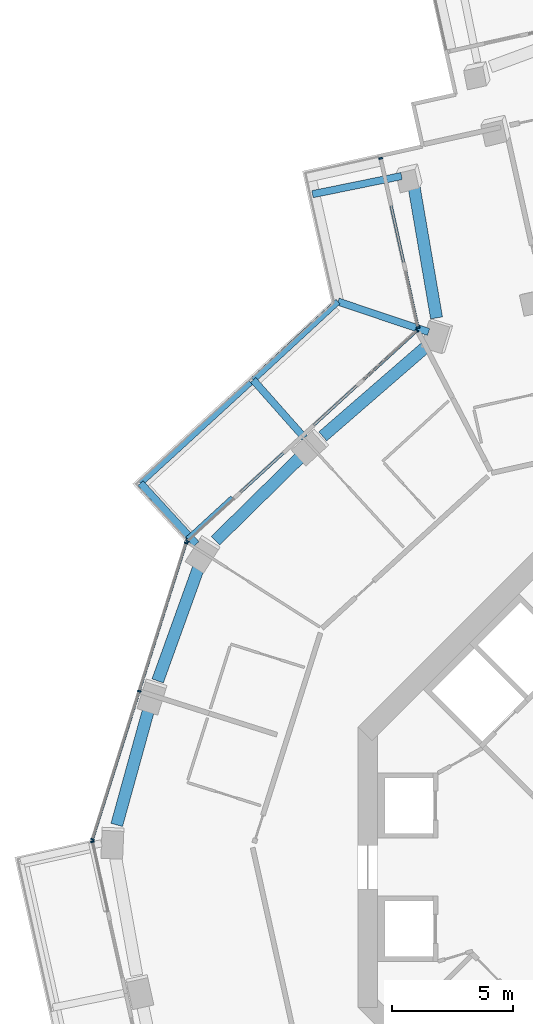
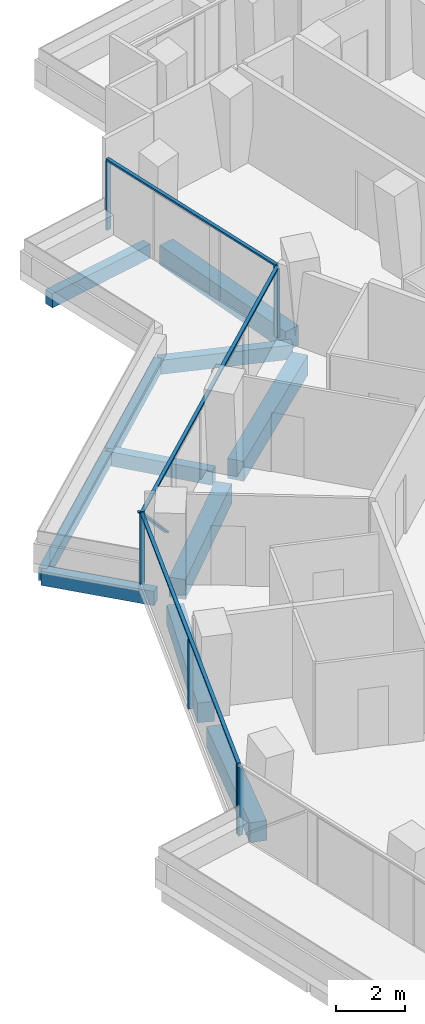
# One storey, part 7 of 24: 12 members, 11 beams, 4 elements without a shape of their own.
"""IFC4 building model written with IfcOpenShell, lengths in metres."""

import ifcopenshell
import ifcopenshell.guid

model = None  # the IFC model being written
_history = None  # IfcOwnerHistory: only IFC2X3 demands one
_inside = {}  # id of a spatial element -> (the spatial element, [elements in it])
_under = {}  # id of a project, library or spatial element -> (it, [spatial elements below it])
_declared = {}  # id of a project -> (the project, [libraries it declares])
_typed = {}  # id of a type object -> (the type object, [elements of that type])
_made_of = {}  # id of a material, layer set ... -> (it, [elements and type objects made of it])


def new_model(schema):
    """Start an empty IFC model of exactly this schema.

    Asked for "IFC4X3", IfcOpenShell would pick the latest addendum, in which some entities
    have other attributes; the version numbers below select the first issue.
    IFC2X3 requires an IfcOwnerHistory on every rooted entity: one is made here for all.
    """
    global model, _history
    if schema == "IFC4X3":
        model = ifcopenshell.file(schema_version=(4, 3, 0, 0))
    else:
        model = ifcopenshell.file(schema=schema)
    _inside.clear()
    _under.clear()
    _declared.clear()
    _typed.clear()
    _made_of.clear()
    _history = None
    if model.schema == "IFC2X3":
        org = make("IfcOrganization", Name="unknown")
        user = make(
            "IfcPersonAndOrganization",
            ThePerson=make("IfcPerson", FamilyName="unknown"),
            TheOrganization=org,
        )
        app = make(
            "IfcApplication",
            ApplicationDeveloper=org,
            Version="unknown",
            ApplicationFullName="unknown",
            ApplicationIdentifier="unknown",
        )
        _history = make(
            "IfcOwnerHistory",
            OwningUser=user,
            OwningApplication=app,
            ChangeAction="ADDED",
            CreationDate=0,
        )
    return model


def make(cls, **values):
    """One entity of the class cls with the attributes given. An attribute that is None is left unset."""
    return model.create_entity(
        cls, **{name: value for name, value in values.items() if value is not None}
    )


def rooted(cls, **values):
    """An entity with a GlobalId (a new one), such as an element, a storey or a relation."""
    return make(cls, GlobalId=ifcopenshell.guid.new(), OwnerHistory=_history, **values)


def si_unit(unit_type, name, prefix=None):
    """IfcSIUnit, for example si_unit("LENGTHUNIT", "METRE", prefix="MILLI")."""
    return make("IfcSIUnit", UnitType=unit_type, Prefix=prefix, Name=name)


def assignment(units):
    """IfcUnitAssignment: the units of a project."""
    return None if units is None else make("IfcUnitAssignment", Units=units)


def point(xyz):
    """IfcCartesianPoint."""
    return None if xyz is None else make("IfcCartesianPoint", Coordinates=xyz)


def direction(xyz):
    """IfcDirection."""
    return None if xyz is None else make("IfcDirection", DirectionRatios=xyz)


def frame(location, z_axis=None, x_axis=None):
    """IfcAxis2Placement3D, a coordinate frame: its origin and axes. An axis left out is left unset."""
    return make(
        "IfcAxis2Placement3D",
        Location=point(location),
        Axis=direction(z_axis),
        RefDirection=direction(x_axis),
    )


def frame_2d(location, x_axis=None):
    """IfcAxis2Placement2D, a coordinate frame in the plane: its origin and x axis."""
    return make(
        "IfcAxis2Placement2D", Location=point(location), RefDirection=direction(x_axis)
    )


def origin():
    """The frame at (0, 0, 0) with its axes left unset."""
    return frame((0.0, 0.0, 0.0))


def origin_2d():
    """The frame at (0, 0) in the plane with its x axis left unset."""
    return frame_2d((0.0, 0.0))


def place(relative_to, where):
    """IfcLocalPlacement: puts the frame where relative to a parent placement (None: the world)."""
    return make(
        "IfcLocalPlacement", PlacementRelTo=relative_to, RelativePlacement=where
    )


def context(
    kind, dimensions, precision=None, world=None, true_north=None, identifier=None
):
    """IfcGeometricRepresentationContext, for example the 3D "Model" context."""
    return make(
        "IfcGeometricRepresentationContext",
        ContextIdentifier=identifier,
        ContextType=kind,
        CoordinateSpaceDimension=dimensions,
        Precision=precision,
        WorldCoordinateSystem=world,
        TrueNorth=true_north,
    )


def subcontext(parent, identifier, kind, view, scale=None):
    """IfcGeometricRepresentationSubContext, for example "Body" below "Model"."""
    return make(
        "IfcGeometricRepresentationSubContext",
        ContextIdentifier=identifier,
        ContextType=kind,
        ParentContext=parent,
        TargetScale=scale,
        TargetView=view,
    )


def project(units=None, contexts=None):
    """IfcProject with its units and contexts."""
    return rooted(
        "IfcProject",
        Name="project",
        RepresentationContexts=contexts,
        UnitsInContext=assignment(units),
    )


def spatial(cls, under=None, at=None, **own):
    """A site, building, storey or space (cls), placed at a placement, below another one or the project."""
    s = rooted(cls, ObjectPlacement=at, **own)
    if under is not None:
        _under.setdefault(under.id(), (under, []))[1].append(s)
    return s


def profile(cls, at=None, kind="AREA", **sizes):
    """A parametric profile (cls). Its sizes go by their IFC names, for example OverallWidth=200.0."""
    return make(cls, ProfileType=kind, Position=at, **sizes)


def rectangle(**sizes):
    """IfcRectangleProfileDef."""
    return profile("IfcRectangleProfileDef", **sizes)


def extrude(swept, where, along, depth):
    """IfcExtrudedAreaSolid: the profile swept, set in the frame where, extruded along a direction by depth."""
    return make(
        "IfcExtrudedAreaSolid",
        SweptArea=swept,
        Position=where,
        ExtrudedDirection=direction(along),
        Depth=depth,
    )


def shape(context_of_items, identifier, shape_type, items):
    """IfcShapeRepresentation: the items that make up one representation, for example the "Body"."""
    return make(
        "IfcShapeRepresentation",
        ContextOfItems=context_of_items,
        RepresentationIdentifier=identifier,
        RepresentationType=shape_type,
        Items=items,
    )


def material(Name=None, Category=None):
    """IfcMaterial."""
    return make("IfcMaterial", Name=Name, Category=Category)


def layer(
    of_material, thickness, ventilated=None, Name=None, Category=None, Priority=None
):
    """IfcMaterialLayer: one layer of a wall or slab, of a material (None: an air gap)."""
    return make(
        "IfcMaterialLayer",
        Material=of_material,
        LayerThickness=thickness,
        IsVentilated=ventilated,
        Name=Name,
        Category=Category,
        Priority=Priority,
    )


def layer_set(layers, Name=None):
    """IfcMaterialLayerSet."""
    return make("IfcMaterialLayerSet", MaterialLayers=layers, LayerSetName=Name)


def material_profile(
    of_material, cross_section, Name=None, Category=None, Priority=None
):
    """IfcMaterialProfile: a cross section and its material."""
    return make(
        "IfcMaterialProfile",
        Name=Name,
        Material=of_material,
        Profile=cross_section,
        Priority=Priority,
        Category=Category,
    )


def profile_set(profiles, Name=None, composite=None):
    """IfcMaterialProfileSet."""
    return make(
        "IfcMaterialProfileSet",
        Name=Name,
        MaterialProfiles=profiles,
        CompositeProfile=composite,
    )


def made_of(thing, what):
    """Note that an element or type object is made of a material, layer set ...; save() writes the relation."""
    if what is not None:
        _made_of.setdefault(what.id(), (what, []))[1].append(thing)
    return thing


def type_object(cls, material=None, **own):
    """A type object (cls), such as IfcWallType, which elements share."""
    return made_of(rooted(cls, **own), material)


def element(
    cls,
    number,
    at=None,
    inside=None,
    cuts=None,
    type_object=None,
    material=None,
    context=None,
    identifier="Body",
    shape_type=None,
    held_by="IfcProductDefinitionShape",
    body=None,
    shapes=None,
    **own,
):
    """One element of the class cls, such as IfcWall. Its Tag is "e" and its number.

    at: its placement. inside: the storey or other place that contains it. cuts: it is an
    opening in that element (IfcRelVoidsElement). A single representation is given by context,
    identifier, shape_type and body (its items); several are given by shapes. held_by: the class
    of the entity that holds the representations. save() writes the other relations.
    """
    e = rooted(cls, Tag="e%d" % number, ObjectPlacement=at, **own)
    if body is not None:
        shapes = [shape(context, identifier, shape_type, body)]
    if shapes is not None:
        e.Representation = make(held_by, Representations=shapes)
    if inside is not None:
        _inside.setdefault(inside.id(), (inside, []))[1].append(e)
    if cuts is not None:
        rooted(
            "IfcRelVoidsElement", RelatingBuildingElement=cuts, RelatedOpeningElement=e
        )
    if type_object is not None:
        _typed.setdefault(type_object.id(), (type_object, []))[1].append(e)
    return made_of(e, material)


def aggregate(whole, parts):
    """IfcRelAggregates: a whole, such as a stair, and the parts it consists of."""
    return rooted("IfcRelAggregates", RelatingObject=whole, RelatedObjects=parts)


def save(model, path):
    """Write the relations noted so far, then the file.

    IfcRelAggregates (storeys below a building ...), IfcRelContainedInSpatialStructure (elements
    in a storey), IfcRelDefinesByType, IfcRelAssociatesMaterial and IfcRelDeclares: one each for
    every whole, place, type object, material and project.
    """
    for whole, parts in _under.values():
        aggregate(whole, parts)
    for where, things in _inside.values():
        rooted(
            "IfcRelContainedInSpatialStructure",
            RelatedElements=things,
            RelatingStructure=where,
        )
    for kind, things in _typed.values():
        rooted("IfcRelDefinesByType", RelatedObjects=things, RelatingType=kind)
    for what, things in _made_of.values():
        rooted("IfcRelAssociatesMaterial", RelatedObjects=things, RelatingMaterial=what)
    for by, libraries in _declared.values():
        rooted("IfcRelDeclares", RelatingContext=by, RelatedDefinitions=libraries)
    model.write(path)


model = new_model("IFC4")

# Units and contexts
model_context = context("Model", 3, precision=1e-05, world=origin(), true_north=direction((0.0, 1.0)))
body_context = subcontext(model_context, "Body", "Model", "MODEL_VIEW")
ifc_project = project(units=[si_unit("LENGTHUNIT", "METRE"), si_unit("AREAUNIT", "SQUARE_METRE"), si_unit("VOLUMEUNIT", "CUBIC_METRE"), si_unit("PLANEANGLEUNIT", "RADIAN"), si_unit("MASSUNIT", "GRAM", prefix="KILO")], contexts=[model_context])

# Site, building, storey
site_placement = place(None, origin())
site = spatial("IfcSite", under=ifc_project, at=site_placement, CompositionType="ELEMENT")
building_placement = place(site_placement, origin())
building = spatial("IfcBuilding", under=site, at=building_placement, Name="Verdalira Terraces Hotel", CompositionType="ELEMENT")
storey_placement = place(building_placement, frame((0.0, 0.0, 86.0)))
storey = spatial("IfcBuildingStorey", under=building, at=storey_placement, Name="L19", CompositionType="ELEMENT", Elevation=86.0)

# Beams
ifc_material_1 = material(Name="Concrete C40", Category="concrete")
ifc_material_profile_1 = material_profile(ifc_material_1, rectangle(XDim=0.300049, YDim=0.5, at=origin_2d()), Name="RC 300X500")
ifc_profile_set_1 = profile_set([ifc_material_profile_1], Name="Concrete C40")
beam_type_1 = type_object("IfcBeamType", Name="Balcony cantilever beam RC 300X500 C40", PredefinedType="BEAM", material=ifc_profile_set_1)
beam_1_placement = place(storey_placement, frame((-11.0896, 22.148926, -0.560059), z_axis=(-0.948417179, 0.317025007, 0.0), x_axis=(-0.317025007, -0.948417179, 0.0)))
element("IfcBeam", 1, at=beam_1_placement, inside=storey, type_object=beam_type_1, Name="Balcony cantilever beam R10-1", PredefinedType="BEAM", context=body_context, shape_type="SweptSolid", body=[
    extrude(rectangle(XDim=0.300049, YDim=0.5, at=origin_2d()), origin(), (0.0, 0.0, 1.0), 3.949951),
])
beam_2_placement = place(storey_placement, frame((-16.223633, 17.764893, -0.560059), z_axis=(-0.662856919, 0.748746089, 0.0), x_axis=(-0.748746089, -0.662856919, 0.0)))
element("IfcBeam", 2, at=beam_2_placement, inside=storey, type_object=beam_type_1, Name="Balcony cantilever beam R10-2", PredefinedType="BEAM", context=body_context, shape_type="SweptSolid", body=[
    extrude(rectangle(XDim=0.300049, YDim=0.5, at=origin_2d()), origin(), (0.0, 0.0, 1.0), 3.200684),
])
beam_3_placement = place(storey_placement, frame((-20.698975, 13.368896, -0.560059), z_axis=(-0.675333379, 0.737512594, 0.0), x_axis=(-0.737512594, -0.675333379, 0.0)))
element("IfcBeam", 3, at=beam_3_placement, inside=storey, type_object=beam_type_1, Name="Balcony cantilever beam R10-3", PredefinedType="BEAM", context=body_context, shape_type="SweptSolid", body=[
    extrude(rectangle(XDim=0.300049, YDim=0.5, at=origin_2d()), origin(), (0.0, 0.0, 1.0), 3.419922),
])
beam_4_placement = place(storey_placement, frame((-12.206055, 28.598145, -0.560059), z_axis=(-0.97985798, -0.199695614, 0.0), x_axis=(0.199695614, -0.97985798, 0.0)))
element("IfcBeam", 4, at=beam_4_placement, inside=storey, type_object=beam_type_1, Name="Balcony cantilever beam R10-4", PredefinedType="BEAM", context=body_context, shape_type="SweptSolid", body=[
    extrude(rectangle(XDim=0.300049, YDim=0.5, at=origin_2d()), origin(), (0.0, 0.0, 1.0), 3.762939),
])
ifc_material_2 = material(Name="Concrete C40", Category="concrete")
ifc_material_profile_2 = material_profile(ifc_material_2, rectangle(XDim=0.25, YDim=0.449951, at=origin_2d()), Name="RC 250X450")
ifc_profile_set_2 = profile_set([ifc_material_profile_2], Name="Concrete C40")
beam_type_2 = type_object("IfcBeamType", Name="Balcony edge beam RC 250X450 C40", PredefinedType="BEAM", material=ifc_profile_set_2)
beam_5_placement = place(storey_placement, frame((-14.835693, 23.401123, -0.534912), z_axis=(-0.734783847, -0.678301332, 0.0), x_axis=(0.678301332, -0.734783847, 0.0)))
element("IfcBeam", 5, at=beam_5_placement, inside=storey, type_object=beam_type_2, Name="Balcony edge beam R10-1", PredefinedType="BEAM", context=body_context, shape_type="SweptSolid", body=[
    extrude(rectangle(XDim=0.25, YDim=0.449951, at=origin_2d()), origin(), (0.0, 0.0, 1.0), 4.776367),
])
beam_6_placement = place(storey_placement, frame((-18.455811, 20.060059, -0.534912), z_axis=(-0.737508636, -0.675337702, 0.0), x_axis=(0.675337702, -0.737508636, 0.0)))
element("IfcBeam", 6, at=beam_6_placement, inside=storey, type_object=beam_type_2, Name="Balcony edge beam R10-2", PredefinedType="BEAM", context=body_context, shape_type="SweptSolid", body=[
    extrude(rectangle(XDim=0.25, YDim=0.449951, at=origin_2d()), origin(), (0.0, 0.0, 1.0), 6.173096),
])

# Curtain wall, members
ifc_material_3 = material(Name="Clear glass", Category="glass")
ifc_layer_1 = layer(ifc_material_3, 0.14990234375)
ifc_layer_set_1 = layer_set([ifc_layer_1], Name="CW1 curtain wall")
curtain_wall_type_1 = type_object("IfcCurtainWallType", Name="CW1 curtain wall", PredefinedType="NOTDEFINED", material=ifc_layer_set_1)
curtain_wall_1_placement = place(storey_placement, origin())
curtain_wall_1 = element("IfcCurtainWall", 7, at=curtain_wall_1_placement, inside=storey, type_object=curtain_wall_type_1, Name="CW1 curtain wall L19 edge 11", PredefinedType="NOTDEFINED")
ifc_material_4 = material(Name="Terracotta frame", Category="masonry")
ifc_material_profile_3 = material_profile(ifc_material_4, rectangle(XDim=0.060059, YDim=0.149902, at=origin_2d()), Name="MU 60x150")
ifc_profile_set_3 = profile_set([ifc_material_profile_3], Name="Terracotta frame")
member_type_1 = type_object("IfcMemberType", Name="CW1 mullion 60x150", PredefinedType="MULLION", material=ifc_profile_set_3)
member_1_placement = place(storey_placement, frame((-11.560059, 22.204834, 0.0), z_axis=(0.0, 0.0, 1.0), x_axis=(-0.737513117, -0.675332808, 0.0)))
member_1 = element("IfcMember", 8, at=member_1_placement, type_object=member_type_1, Name="CW1 mullion", PredefinedType="MULLION", context=body_context, shape_type="SweptSolid", body=[
    extrude(rectangle(XDim=0.060059, YDim=0.149902, at=origin_2d()), origin(), (0.0, 0.0, 1.0), 2.425049),
])
member_2_placement = place(storey_placement, frame((-21.073975, 13.493164, 0.0), z_axis=(0.0, 0.0, 1.0), x_axis=(-0.737513117, -0.675332808, 0.0)))
member_2 = element("IfcMember", 9, at=member_2_placement, type_object=member_type_1, Name="CW1 mullion", PredefinedType="MULLION", context=body_context, shape_type="SweptSolid", body=[
    extrude(rectangle(XDim=0.060059, YDim=0.149902, at=origin_2d()), origin(), (0.0, 0.0, 1.0), 2.425049),
])

curtain_wall_2_placement = place(storey_placement, origin())
curtain_wall_2 = element("IfcCurtainWall", 10, at=curtain_wall_2_placement, inside=storey, type_object=curtain_wall_type_1, Name="CW1 curtain wall L19 edge 12", PredefinedType="NOTDEFINED")
member_3_placement = place(storey_placement, frame((-21.125977, 13.411621, 0.0), z_axis=(0.0, 0.0, 1.0), x_axis=(-0.301038691, -0.953611927, 0.0)))
member_3 = element("IfcMember", 11, at=member_3_placement, type_object=member_type_1, Name="CW1 mullion", PredefinedType="MULLION", context=body_context, shape_type="SweptSolid", body=[
    extrude(rectangle(XDim=0.060059, YDim=0.149902, at=origin_2d()), origin(), (0.0, 0.0, 1.0), 2.425049),
])
member_4_placement = place(storey_placement, frame((-23.061523, 7.280029, 0.0), z_axis=(0.0, 0.0, 1.0), x_axis=(-0.301038691, -0.953611927, 0.0)))
member_4 = element("IfcMember", 12, at=member_4_placement, type_object=member_type_1, Name="CW1 mullion", PredefinedType="MULLION", context=body_context, shape_type="SweptSolid", body=[
    extrude(rectangle(XDim=0.060059, YDim=0.149902, at=origin_2d()), origin(), (0.0, 0.0, 1.0), 2.425049),
])
member_5_placement = place(storey_placement, frame((-24.99707, 1.148682, 0.0), z_axis=(0.0, 0.0, 1.0), x_axis=(-0.301038691, -0.953611927, 0.0)))
member_5 = element("IfcMember", 13, at=member_5_placement, type_object=member_type_1, Name="CW1 mullion", PredefinedType="MULLION", context=body_context, shape_type="SweptSolid", body=[
    extrude(rectangle(XDim=0.060059, YDim=0.149902, at=origin_2d()), origin(), (0.0, 0.0, 1.0), 2.425049),
])

# Curtain wall, member
curtain_wall_3_placement = place(storey_placement, origin())
curtain_wall_3 = element("IfcCurtainWall", 14, at=curtain_wall_3_placement, inside=storey, type_object=curtain_wall_type_1, Name="CW1 curtain wall L19 edge 13", PredefinedType="NOTDEFINED")
member_6_placement = place(storey_placement, frame((-25.001465, 1.052002, 0.0), z_axis=(0.0, 0.0, 1.0), x_axis=(0.216098809, -0.976371499, 0.0)))
member_6 = element("IfcMember", 15, at=member_6_placement, type_object=member_type_1, Name="CW1 mullion", PredefinedType="MULLION", context=body_context, shape_type="SweptSolid", body=[
    extrude(rectangle(XDim=0.060059, YDim=0.149902, at=origin_2d()), origin(), (0.0, 0.0, 1.0), 2.425049),
])
aggregate(curtain_wall_3, [member_6])

# Member
ifc_material_5 = material(Name="Terracotta frame", Category="masonry")
ifc_material_profile_4 = material_profile(ifc_material_5, rectangle(XDim=0.110107, YDim=0.064941, at=origin_2d()), Name="TR 65x110")
ifc_profile_set_4 = profile_set([ifc_material_profile_4], Name="Terracotta frame")
member_type_2 = type_object("IfcMemberType", Name="CW1 transom 65x110", PredefinedType="USERDEFINED", material=ifc_profile_set_4)
member_7_placement = place(storey_placement, frame((-11.537842, 22.225098, 2.45752), z_axis=(-0.737515302, -0.675330423, 0.0), x_axis=(0.675330423, -0.737515302, 0.0)))
member_7 = element("IfcMember", 16, at=member_7_placement, type_object=member_type_2, Name="CW1 transom", ObjectType="TRANSOM", PredefinedType="USERDEFINED", context=body_context, shape_type="SweptSolid", body=[
    extrude(rectangle(XDim=0.110107, YDim=0.064941, at=origin_2d()), origin(), (0.0, 0.0, 1.0), 12.959961),
])

member_8_placement = place(storey_placement, frame((-21.116943, 13.440186, 2.45752), z_axis=(-0.301028266, -0.953615218, 0.0), x_axis=(0.953615218, -0.301028266, 0.0)))
member_8 = element("IfcMember", 17, at=member_8_placement, type_object=member_type_2, Name="CW1 transom", ObjectType="TRANSOM", PredefinedType="USERDEFINED", context=body_context, shape_type="SweptSolid", body=[
    extrude(rectangle(XDim=0.110107, YDim=0.064941, at=origin_2d()), origin(), (0.0, 0.0, 1.0), 12.919678),
])

aggregate(curtain_wall_2, [member_3, member_4, member_5, member_8])

# Curtain wall, members
ifc_material_6 = material(Name="Clear glass", Category="glass")
ifc_layer_2 = layer(ifc_material_6, 0.14990234375)
ifc_layer_set_2 = layer_set([ifc_layer_2], Name="CW2 curtain wall")
curtain_wall_type_2 = type_object("IfcCurtainWallType", Name="CW2 curtain wall", PredefinedType="NOTDEFINED", material=ifc_layer_set_2)
curtain_wall_4_placement = place(storey_placement, origin())
curtain_wall_4 = element("IfcCurtainWall", 18, at=curtain_wall_4_placement, inside=storey, type_object=curtain_wall_type_2, Name="CW2 curtain wall L19 edge 10", PredefinedType="NOTDEFINED")
ifc_material_7 = material(Name="Terracotta frame", Category="masonry")
ifc_material_profile_5 = material_profile(ifc_material_7, rectangle(XDim=0.070068, YDim=0.149902, at=origin_2d()), Name="MU 70x150")
ifc_profile_set_5 = profile_set([ifc_material_profile_5], Name="Terracotta frame")
member_type_3 = type_object("IfcMemberType", Name="CW2 mullion 70x150", PredefinedType="MULLION", material=ifc_profile_set_5)
member_9_placement = place(storey_placement, frame((-13.072021, 29.330078, 0.0), z_axis=(0.0, 0.0, 1.0), x_axis=(0.216098809, -0.976371499, 0.0)))
member_9 = element("IfcMember", 19, at=member_9_placement, type_object=member_type_3, Name="CW2 mullion", PredefinedType="MULLION", context=body_context, shape_type="SweptSolid", body=[
    extrude(rectangle(XDim=0.070068, YDim=0.149902, at=origin_2d()), origin(), (0.0, 0.0, 1.0), 2.425049),
])
member_10_placement = place(storey_placement, frame((-11.522949, 22.330811, 0.0), z_axis=(0.0, 0.0, 1.0), x_axis=(0.216098809, -0.976371499, 0.0)))
member_10 = element("IfcMember", 20, at=member_10_placement, type_object=member_type_3, Name="CW2 mullion", PredefinedType="MULLION", context=body_context, shape_type="SweptSolid", body=[
    extrude(rectangle(XDim=0.070068, YDim=0.149902, at=origin_2d()), origin(), (0.0, 0.0, 1.0), 2.425049),
])
ifc_material_8 = material(Name="Terracotta frame", Category="masonry")
ifc_material_profile_6 = material_profile(ifc_material_8, rectangle(XDim=0.11499, YDim=0.064941, at=origin_2d()), Name="TR 65x115")
ifc_profile_set_6 = profile_set([ifc_material_profile_6], Name="Terracotta frame")
member_type_4 = type_object("IfcMemberType", Name="CW2 transom 65x115", PredefinedType="USERDEFINED", material=ifc_profile_set_6)
member_11_placement = place(storey_placement, frame((-13.07959, 29.364258, 2.45752), z_axis=(0.216091162, -0.976373192, 0.0), x_axis=(0.976373192, 0.216091162, 0.0)))
member_11 = element("IfcMember", 21, at=member_11_placement, type_object=member_type_4, Name="CW2 transom", ObjectType="TRANSOM", PredefinedType="USERDEFINED", context=body_context, shape_type="SweptSolid", body=[
    extrude(rectangle(XDim=0.11499, YDim=0.064941, at=origin_2d()), origin(), (0.0, 0.0, 1.0), 7.23877),
])
aggregate(curtain_wall_4, [member_9, member_10, member_11])

# Member
ifc_material_9 = material(Name="Terracotta frame", Category="masonry")
ifc_material_profile_7 = material_profile(ifc_material_9, rectangle(XDim=0.149902, YDim=0.060059, at=origin_2d()), Name="GB 60x150")
ifc_profile_set_7 = profile_set([ifc_material_profile_7], Name="Terracotta frame")
member_type_5 = type_object("IfcMemberType", Name="Diagonal glazing bar 60x150", PredefinedType="USERDEFINED", material=ifc_profile_set_7)
member_12_placement = place(storey_placement, frame((-19.23877, 15.294434, 0.023193), z_axis=(-0.53582908, -0.490694754, 0.687099596), x_axis=(0.675364133, -0.737484432, 0.0)))
member_12 = element("IfcMember", 22, at=member_12_placement, type_object=member_type_5, Name="Diagonal glazing bar", ObjectType="GLAZING BAR", PredefinedType="USERDEFINED", context=body_context, shape_type="SweptSolid", body=[
    extrude(rectangle(XDim=0.149902, YDim=0.060059, at=origin_2d()), origin(), (0.0, 0.0, 1.0), 3.461914),
])

aggregate(curtain_wall_1, [member_1, member_2, member_7, member_12])

# Beams
ifc_material_10 = material(Name="Concrete C70", Category="concrete")
ifc_material_profile_8 = material_profile(ifc_material_10, rectangle(XDim=0.5, YDim=0.699951, at=origin_2d()), Name="RC 500X700")
ifc_profile_set_8 = profile_set([ifc_material_profile_8], Name="Concrete C70")
beam_type_3 = type_object("IfcBeamType", Name="Spandrel beam RC 500X700 C70", PredefinedType="SPANDREL", material=ifc_profile_set_8)
beam_7_placement = place(storey_placement, frame((-11.717773, 28.319824, -0.659912), z_axis=(0.169065333, -0.985604846, 0.0), x_axis=(0.985604846, 0.169065333, 0.0)))
element("IfcBeam", 23, at=beam_7_placement, inside=storey, type_object=beam_type_3, Name="Spandrel beam B03", PredefinedType="SPANDREL", context=body_context, shape_type="SweptSolid", body=[
    extrude(rectangle(XDim=0.5, YDim=0.699951, at=origin_2d()), origin(), (0.0, 0.0, 1.0), 5.673828),
])
beam_8_placement = place(storey_placement, frame((-11.183594, 21.544189, -0.659912), z_axis=(-0.755191793, -0.655503894, 0.0), x_axis=(0.655503894, -0.755191793, 0.0)))
element("IfcBeam", 24, at=beam_8_placement, inside=storey, type_object=beam_type_3, Name="Spandrel beam B04", PredefinedType="SPANDREL", context=body_context, shape_type="SweptSolid", body=[
    extrude(rectangle(XDim=0.5, YDim=0.699951, at=origin_2d()), origin(), (0.0, 0.0, 1.0), 5.672119),
])
beam_9_placement = place(storey_placement, frame((-16.330811, 17.026855, -0.659912), z_axis=(-0.712661971, -0.701507601, 0.0), x_axis=(0.701507601, -0.712661971, 0.0)))
element("IfcBeam", 25, at=beam_9_placement, inside=storey, type_object=beam_type_3, Name="Spandrel beam B05", PredefinedType="SPANDREL", context=body_context, shape_type="SweptSolid", body=[
    extrude(rectangle(XDim=0.5, YDim=0.699951, at=origin_2d()), origin(), (0.0, 0.0, 1.0), 5.012207),
])
beam_10_placement = place(storey_placement, frame((-20.595947, 12.425293, -0.659912), z_axis=(-0.339424362, -0.940633352, 0.0), x_axis=(0.940633352, -0.339424362, 0.0)))
element("IfcBeam", 26, at=beam_10_placement, inside=storey, type_object=beam_type_3, Name="Spandrel beam B06", PredefinedType="SPANDREL", context=body_context, shape_type="SweptSolid", body=[
    extrude(rectangle(XDim=0.5, YDim=0.699951, at=origin_2d()), origin(), (0.0, 0.0, 1.0), 5.015625),
])
beam_11_placement = place(storey_placement, frame((-22.656494, 6.580322, -0.659912), z_axis=(-0.266392542, -0.963864624, 0.0), x_axis=(0.963864624, -0.266392542, 0.0)))
element("IfcBeam", 27, at=beam_11_placement, inside=storey, type_object=beam_type_3, Name="Spandrel beam B07", PredefinedType="SPANDREL", context=body_context, shape_type="SweptSolid", body=[
    extrude(rectangle(XDim=0.5, YDim=0.699951, at=origin_2d()), origin(), (0.0, 0.0, 1.0), 5.012207),
])

save(model, "model.ifc")
